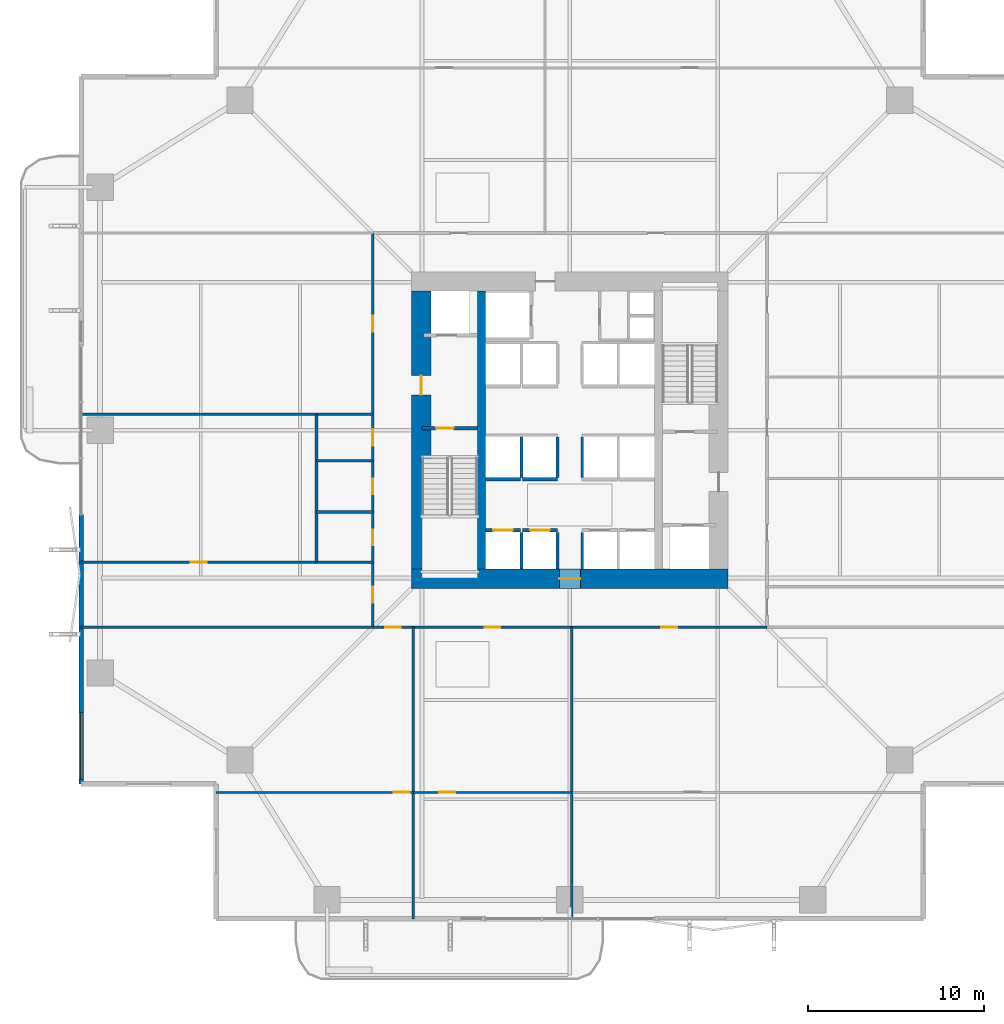
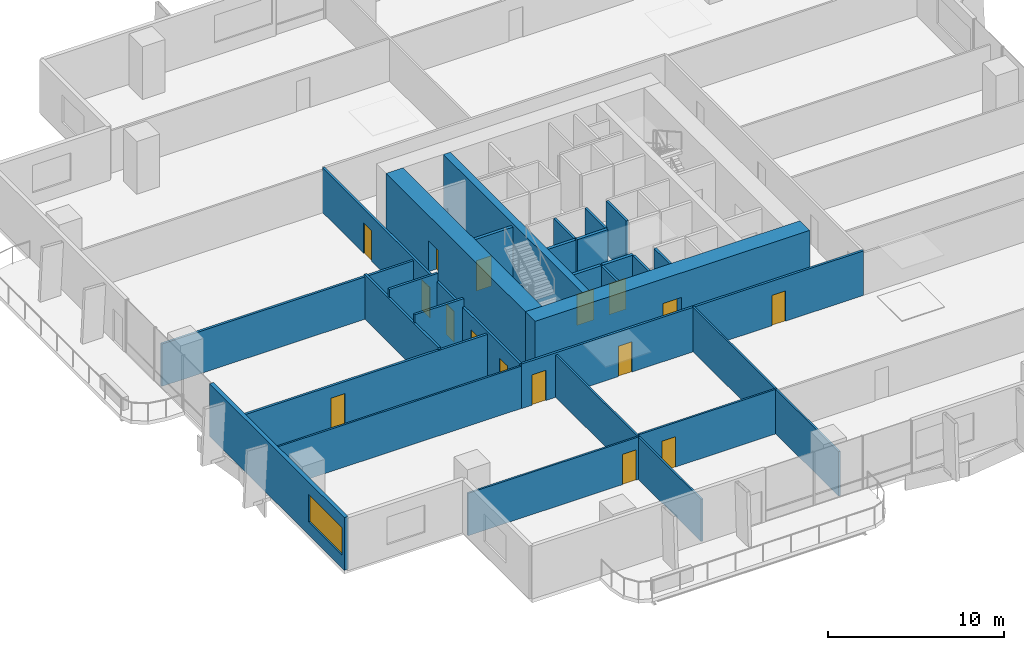
# One storey, part 17 of 23: 27 walls, 16 doors, 1 window, 17 openings.
"""IFC4 building model written with IfcOpenShell, lengths in metres."""

from ifc_helpers import new_model, si_unit, direction, frame, frame_2d, origin, place, context, subcontext, project, spatial, rectangle, extrude, material, layer, layer_set, type_object, element, fill, save


model = new_model("IFC4")

# Units and contexts
model_context = context("Model", 3, precision=1e-05, world=origin(), true_north=direction((0.0, 1.0)))
body_context = subcontext(model_context, "Body", "Model", "MODEL_VIEW")
ifc_project = project(units=[si_unit("LENGTHUNIT", "METRE"), si_unit("AREAUNIT", "SQUARE_METRE"), si_unit("VOLUMEUNIT", "CUBIC_METRE"), si_unit("PLANEANGLEUNIT", "RADIAN"), si_unit("MASSUNIT", "GRAM", prefix="KILO")], contexts=[model_context])

# Site, building, storey
site_placement = place(None, origin())
site = spatial("IfcSite", under=ifc_project, at=site_placement, CompositionType="ELEMENT")
building_placement = place(site_placement, origin())
building = spatial("IfcBuilding", under=site, at=building_placement, Name="Belovzor Exchange Tower", CompositionType="ELEMENT")
storey_placement = place(building_placement, frame((0.0, 0.0, 76.800048828125)))
storey = spatial("IfcBuildingStorey", under=building, at=storey_placement, Name="L18", CompositionType="ELEMENT", Elevation=76.800048828125)

# Wall, opening, door
ifc_material_1 = material(Name="Acoustic Plasterboard on Galvanised Studs", Category="gypsum")
ifc_layer_1 = layer(ifc_material_1, 0.1201171875)
ifc_layer_set_1 = layer_set([ifc_layer_1], Name="Acoustic Plasterboard on Galvanised Studs")
wall_type_1 = type_object("IfcWallType", Name="Acoustic Double-Stud Partition Wall 120", PredefinedType="PARTITIONING", material=ifc_layer_set_1)
wall_1_placement = place(storey_placement, frame((8.699951171875, 8.2119140625, 0.0), z_axis=(0.0, 0.0, 1.0), x_axis=(1.0, 0.0, 0.0)))
wall_1 = element("IfcWall", 1, at=wall_1_placement, inside=storey, type_object=wall_type_1, Name="W-P120 Partition Wall W-L18-SHDIV-0", PredefinedType="PARTITIONING", context=body_context, shape_type="SweptSolid", body=[
    extrude(rectangle(XDim=11.199951171875, YDim=0.1201171875, at=frame_2d((5.60009765625, 0.0))), origin(), (0.0, 0.0, 1.0), 2.93505859375),
])
opening_1_placement = place(wall_1_placement, frame((10.10009765625, 0.0, 0.0)))
opening_1 = element("IfcOpeningElement", 2, at=opening_1_placement, cuts=wall_1, Name="Opening D-INT-090", PredefinedType="OPENING", context=body_context, shape_type="SweptSolid", body=[
    extrude(rectangle(XDim=0.89990234375, YDim=2.10009765625, at=frame_2d((0.449951171875, 1.050048828125))), frame((0.0, 0.070068359375, 0.0), z_axis=(0.0, -1.0, 0.0), x_axis=(1.0, 0.0, 0.0)), (0.0, 0.0, 1.0), 0.14013671875),
])
ifc_material_2 = material(Name="Veneered Hardwood Acoustic Leaf", Category="wood")
door_type_1 = type_object("IfcDoorType", Name="Trading Suite Acoustic Single Door 900x2100", OperationType="NOTDEFINED", PredefinedType="DOOR", material=ifc_material_2)
door_1_placement = place(opening_1_placement, origin())
door_1 = element("IfcDoor", 3, at=door_1_placement, inside=storey, type_object=door_type_1, Name="D-INT-090 Trading Suite Acoustic Single Door 900x2100", OperationType="SINGLE_SWING_LEFT", OverallHeight=2.10009765625, OverallWidth=0.89990234375, PredefinedType="DOOR", context=body_context, shape_type="SweptSolid", body=[
    extrude(rectangle(XDim=0.89990234375, YDim=2.10009765625, at=frame_2d((0.449951171875, 1.050048828125))), frame((0.0, 0.02490234375, 0.0), z_axis=(0.0, -1.0, 0.0), x_axis=(1.0, 0.0, 0.0)), (0.0, 0.0, 1.0), 0.050048828125),
])
fill(opening_1, door_1)

# Wall
wall_2_placement = place(storey_placement, frame((19.89990234375, 1.030029296875, 0.0), z_axis=(0.0, 0.0, 1.0), x_axis=(0.0, 1.0, 0.0)))
element("IfcWall", 4, at=wall_2_placement, inside=storey, type_object=wall_type_1, Name="W-P120 Partition Wall W-L18-SDIV-1", PredefinedType="PARTITIONING", context=body_context, shape_type="SweptSolid", body=[
    extrude(rectangle(XDim=16.570068359375, YDim=0.1201171875, at=frame_2d((8.28515625, 0.0))), origin(), (0.0, 0.0, 1.0), 2.93505859375),
])

# Wall, opening, door
wall_3_placement = place(storey_placement, frame((19.89990234375, 8.2119140625, 0.0), z_axis=(0.0, 0.0, 1.0), x_axis=(1.0, 0.0, 0.0)))
wall_3 = element("IfcWall", 5, at=wall_3_placement, inside=storey, type_object=wall_type_1, Name="W-P120 Partition Wall W-L18-SHDIV-1", PredefinedType="PARTITIONING", context=body_context, shape_type="SweptSolid", body=[
    extrude(rectangle(XDim=9.004150390625, YDim=0.1201171875, at=frame_2d((4.501953125, 0.0))), origin(), (0.0, 0.0, 1.0), 3.0849609375),
])
opening_2_placement = place(wall_3_placement, frame((1.48388671875, 0.0, 0.0)))
opening_2 = element("IfcOpeningElement", 6, at=opening_2_placement, cuts=wall_3, Name="Opening D-INT-090", PredefinedType="OPENING", context=body_context, shape_type="SweptSolid", body=[
    extrude(rectangle(XDim=0.89990234375, YDim=2.10009765625, at=frame_2d((0.449951171875, 1.050048828125))), frame((0.0, 0.070068359375, 0.0), z_axis=(0.0, -1.0, 0.0), x_axis=(1.0, 0.0, 0.0)), (0.0, 0.0, 1.0), 0.14013671875),
])
door_2_placement = place(opening_2_placement, origin())
door_2 = element("IfcDoor", 7, at=door_2_placement, inside=storey, type_object=door_type_1, Name="D-INT-090 Trading Suite Acoustic Single Door 900x2100", OperationType="SINGLE_SWING_LEFT", OverallHeight=2.10009765625, OverallWidth=0.89990234375, PredefinedType="DOOR", context=body_context, shape_type="SweptSolid", body=[
    extrude(rectangle(XDim=0.89990234375, YDim=2.10009765625, at=frame_2d((0.449951171875, 1.050048828125))), frame((0.0, 0.02490234375, 0.0), z_axis=(0.0, -1.0, 0.0), x_axis=(1.0, 0.0, 0.0)), (0.0, 0.0, 1.0), 0.050048828125),
])
fill(opening_2, door_2)

# Walls
wall_4_placement = place(storey_placement, frame((28.904052734375, 1.030029296875, 0.0), z_axis=(0.0, 0.0, 1.0), x_axis=(0.0, 1.0, 0.0)))
element("IfcWall", 8, at=wall_4_placement, inside=storey, type_object=wall_type_1, Name="W-P120 Partition Wall W-L18-SDIV-2", PredefinedType="PARTITIONING", context=body_context, shape_type="SweptSolid", body=[
    extrude(rectangle(XDim=16.570068359375, YDim=0.1201171875, at=frame_2d((8.28515625, 0.0))), origin(), (0.0, 0.0, 1.0), 3.0849609375),
])
wall_5_placement = place(storey_placement, frame((1.030029296875, 17.60009765625, 0.0), z_axis=(0.0, 0.0, 1.0), x_axis=(1.0, 0.0, 0.0)))
element("IfcWall", 9, at=wall_5_placement, inside=storey, type_object=wall_type_1, Name="W-P120 Partition Wall W-L18-END-SW", PredefinedType="PARTITIONING", context=body_context, shape_type="SweptSolid", body=[
    extrude(rectangle(XDim=16.570068359375, YDim=0.1201171875, at=frame_2d((8.28515625, 0.0))), origin(), (0.0, 0.0, 1.0), 2.93505859375),
])
ifc_material_3 = material(Name="Fire-Rated Gypsum Block and Mineral Wool", Category="gypsum")
ifc_layer_2 = layer(ifc_material_3, 0.14990234375)
ifc_layer_set_2 = layer_set([ifc_layer_2], Name="Fire-Rated Gypsum Block and Mineral Wool")
wall_type_2 = type_object("IfcWallType", Name="Fire-Rated Gypsum Block Corridor Wall 150", PredefinedType="PARTITIONING", material=ifc_layer_set_2)
wall_6_placement = place(storey_placement, frame((14.39990234375, 21.300048828125, 0.0), z_axis=(0.0, 0.0, 1.0), x_axis=(0.0, 1.0, 0.0)))
element("IfcWall", 10, at=wall_6_placement, inside=storey, type_object=wall_type_2, Name="W-P150 Partition Wall W-L18-WCW", PredefinedType="PARTITIONING", context=body_context, shape_type="SweptSolid", body=[
    extrude(rectangle(XDim=8.39990234375, YDim=0.14990234375, at=frame_2d((4.199951171875, 0.0))), origin(), (0.0, 0.0, 1.0), 3.0849609375),
])

# Wall, opening, door
wall_7_placement = place(storey_placement, frame((1.030029296875, 21.300048828125, 0.0), z_axis=(0.0, 0.0, 1.0), x_axis=(1.0, 0.0, 0.0)))
wall_7 = element("IfcWall", 11, at=wall_7_placement, inside=storey, type_object=wall_type_2, Name="W-P150 Partition Wall W-L18-WCS", PredefinedType="PARTITIONING", context=body_context, shape_type="SweptSolid", body=[
    extrude(rectangle(XDim=16.570068359375, YDim=0.14990234375, at=frame_2d((8.28515625, 0.0))), origin(), (0.0, 0.0, 1.0), 2.93505859375),
])
opening_3_placement = place(wall_7_placement, frame((6.235107421875, 0.0, 0.0)))
opening_3 = element("IfcOpeningElement", 12, at=opening_3_placement, cuts=wall_7, Name="Opening D-INT-090", PredefinedType="OPENING", context=body_context, shape_type="SweptSolid", body=[
    extrude(rectangle(XDim=0.89990234375, YDim=2.10009765625, at=frame_2d((0.449951171875, 1.050048828125))), frame((0.0, 0.0849609375, 0.0), z_axis=(0.0, -1.0, 0.0), x_axis=(1.0, 0.0, 0.0)), (0.0, 0.0, 1.0), 0.169921875),
])
door_3_placement = place(opening_3_placement, origin())
door_3 = element("IfcDoor", 13, at=door_3_placement, inside=storey, type_object=door_type_1, Name="D-INT-090 Trading Suite Acoustic Single Door 900x2100", OperationType="SINGLE_SWING_LEFT", OverallHeight=2.10009765625, OverallWidth=0.89990234375, PredefinedType="DOOR", context=body_context, shape_type="SweptSolid", body=[
    extrude(rectangle(XDim=0.89990234375, YDim=2.10009765625, at=frame_2d((0.449951171875, 1.050048828125))), frame((0.0, 0.02490234375, 0.0), z_axis=(0.0, -1.0, 0.0), x_axis=(1.0, 0.0, 0.0)), (0.0, 0.0, 1.0), 0.050048828125),
])
fill(opening_3, door_3)

# Walls
wall_8_placement = place(storey_placement, frame((1.030029296875, 29.699951171875, 0.0), z_axis=(0.0, 0.0, 1.0), x_axis=(1.0, 0.0, 0.0)))
element("IfcWall", 14, at=wall_8_placement, inside=storey, type_object=wall_type_2, Name="W-P150 Partition Wall W-L18-WCN", PredefinedType="PARTITIONING", context=body_context, shape_type="SweptSolid", body=[
    extrude(rectangle(XDim=16.570068359375, YDim=0.14990234375, at=frame_2d((8.28515625, 0.0))), origin(), (0.0, 0.0, 1.0), 2.93505859375),
])
for number, where, z_axis, x_axis, name in (
    (15, (14.39990234375, 24.14990234375, 0.0), (0.0, 0.0, 1.0), (1.0, 0.0, 0.0), "W-P150 Partition Wall W-L18-WCD1"),
    (16, (14.39990234375, 27.050048828125, 0.0), (0.0, 0.0, 1.0), (1.0, 0.0, 0.0), "W-P150 Partition Wall W-L18-WCD2"),
):
    element("IfcWall", number, at=place(storey_placement, frame(where, z_axis=z_axis, x_axis=x_axis)), inside=storey, type_object=wall_type_2, Name=name, PredefinedType="PARTITIONING", context=body_context, shape_type="SweptSolid", body=[
        extrude(rectangle(XDim=3.2001953125, YDim=0.14990234375, at=frame_2d((1.60009765625, 0.0))), origin(), (0.0, 0.0, 1.0), 3.64990234375),
    ])

# Wall, openings, doors
wall_9_placement = place(storey_placement, frame((17.60009765625, 17.60009765625, 0.0), z_axis=(0.0, 0.0, 1.0), x_axis=(1.0, 0.0, 0.0)))
wall_9 = element("IfcWall", 17, at=wall_9_placement, inside=storey, type_object=wall_type_2, Name="W-P150 Partition Wall W-L18-CS", PredefinedType="PARTITIONING", context=body_context, shape_type="SweptSolid", body=[
    extrude(rectangle(XDim=22.39990234375, YDim=0.14990234375, at=frame_2d((11.199951171875, 0.0))), origin(), (0.0, 0.0, 1.0), 3.0849609375),
])
opening_4_placement = place(wall_9_placement, frame((0.699951171875, 0.0, 0.0)))
opening_4 = element("IfcOpeningElement", 18, at=opening_4_placement, cuts=wall_9, Name="Opening D-INT-090", PredefinedType="OPENING", context=body_context, shape_type="SweptSolid", body=[
    extrude(rectangle(XDim=0.89990234375, YDim=2.10009765625, at=frame_2d((0.449951171875, 1.050048828125))), frame((0.0, 0.0849609375, 0.0), z_axis=(0.0, -1.0, 0.0), x_axis=(1.0, 0.0, 0.0)), (0.0, 0.0, 1.0), 0.169921875),
])
opening_5_placement = place(wall_9_placement, frame((6.35205078125, 0.0, 0.0)))
opening_5 = element("IfcOpeningElement", 19, at=opening_5_placement, cuts=wall_9, Name="Opening D-INT-090", PredefinedType="OPENING", context=body_context, shape_type="SweptSolid", body=[
    extrude(rectangle(XDim=0.89990234375, YDim=2.10009765625, at=frame_2d((0.449951171875, 1.050048828125))), frame((0.0, 0.0849609375, 0.0), z_axis=(0.0, -1.0, 0.0), x_axis=(1.0, 0.0, 0.0)), (0.0, 0.0, 1.0), 0.169921875),
])
opening_6_placement = place(wall_9_placement, frame((16.402099609375, 0.0, 0.0)))
opening_6 = element("IfcOpeningElement", 20, at=opening_6_placement, cuts=wall_9, Name="Opening D-INT-090", PredefinedType="OPENING", context=body_context, shape_type="SweptSolid", body=[
    extrude(rectangle(XDim=0.89990234375, YDim=2.10009765625, at=frame_2d((0.449951171875, 1.050048828125))), frame((0.0, 0.0849609375, 0.0), z_axis=(0.0, -1.0, 0.0), x_axis=(1.0, 0.0, 0.0)), (0.0, 0.0, 1.0), 0.169921875),
])
door_4_placement = place(opening_4_placement, origin())
door_4 = element("IfcDoor", 21, at=door_4_placement, inside=storey, type_object=door_type_1, Name="D-INT-090 Trading Suite Acoustic Single Door 900x2100", OperationType="SINGLE_SWING_RIGHT", OverallHeight=2.10009765625, OverallWidth=0.89990234375, PredefinedType="DOOR", context=body_context, shape_type="SweptSolid", body=[
    extrude(rectangle(XDim=0.89990234375, YDim=2.10009765625, at=frame_2d((0.449951171875, 1.050048828125))), frame((0.0, 0.02490234375, 0.0), z_axis=(0.0, -1.0, 0.0), x_axis=(1.0, 0.0, 0.0)), (0.0, 0.0, 1.0), 0.050048828125),
])
fill(opening_4, door_4)
door_5_placement = place(opening_5_placement, origin())
door_5 = element("IfcDoor", 22, at=door_5_placement, inside=storey, type_object=door_type_1, Name="D-INT-090 Trading Suite Acoustic Single Door 900x2100", OperationType="SINGLE_SWING_LEFT", OverallHeight=2.10009765625, OverallWidth=0.89990234375, PredefinedType="DOOR", context=body_context, shape_type="SweptSolid", body=[
    extrude(rectangle(XDim=0.89990234375, YDim=2.10009765625, at=frame_2d((0.449951171875, 1.050048828125))), frame((0.0, 0.02490234375, 0.0), z_axis=(0.0, -1.0, 0.0), x_axis=(1.0, 0.0, 0.0)), (0.0, 0.0, 1.0), 0.050048828125),
])
fill(opening_5, door_5)
door_6_placement = place(opening_6_placement, origin())
door_6 = element("IfcDoor", 23, at=door_6_placement, inside=storey, type_object=door_type_1, Name="D-INT-090 Trading Suite Acoustic Single Door 900x2100", OperationType="SINGLE_SWING_RIGHT", OverallHeight=2.10009765625, OverallWidth=0.89990234375, PredefinedType="DOOR", context=body_context, shape_type="SweptSolid", body=[
    extrude(rectangle(XDim=0.89990234375, YDim=2.10009765625, at=frame_2d((0.449951171875, 1.050048828125))), frame((0.0, 0.02490234375, 0.0), z_axis=(0.0, -1.0, 0.0), x_axis=(1.0, 0.0, 0.0)), (0.0, 0.0, 1.0), 0.050048828125),
])
fill(opening_6, door_6)

wall_10_placement = place(storey_placement, frame((17.60009765625, 17.60009765625, 0.0), z_axis=(0.0, 0.0, 1.0), x_axis=(0.0, 1.0, 0.0)))
wall_10 = element("IfcWall", 24, at=wall_10_placement, inside=storey, type_object=wall_type_2, Name="W-P150 Partition Wall W-L18-CW", PredefinedType="PARTITIONING", context=body_context, shape_type="SweptSolid", body=[
    extrude(rectangle(XDim=22.39990234375, YDim=0.14990234375, at=frame_2d((11.199951171875, 0.0))), origin(), (0.0, 0.0, 1.0), 3.0849609375),
])
opening_7_placement = place(wall_10_placement, frame((1.39990234375, 0.0, 0.0)))
opening_7 = element("IfcOpeningElement", 25, at=opening_7_placement, cuts=wall_10, Name="Opening D-INT-090", PredefinedType="OPENING", context=body_context, shape_type="SweptSolid", body=[
    extrude(rectangle(XDim=0.89990234375, YDim=2.10009765625, at=frame_2d((0.449951171875, 1.050048828125))), frame((0.0, 0.0849609375, 0.0), z_axis=(0.0, -1.0, 0.0), x_axis=(1.0, 0.0, 0.0)), (0.0, 0.0, 1.0), 0.169921875),
])
opening_8_placement = place(wall_10_placement, frame((4.64990234375, 0.0, 0.0)))
opening_8 = element("IfcOpeningElement", 26, at=opening_8_placement, cuts=wall_10, Name="Opening D-FD60-090", PredefinedType="OPENING", context=body_context, shape_type="SweptSolid", body=[
    extrude(rectangle(XDim=0.89990234375, YDim=2.10009765625, at=frame_2d((0.449951171875, 1.050048828125))), frame((0.0, 0.0849609375, 0.0), z_axis=(0.0, -1.0, 0.0), x_axis=(1.0, 0.0, 0.0)), (0.0, 0.0, 1.0), 0.169921875),
])
opening_9_placement = place(wall_10_placement, frame((7.550048828125, 0.0, 0.0)))
opening_9 = element("IfcOpeningElement", 27, at=opening_9_placement, cuts=wall_10, Name="Opening D-FD60-090", PredefinedType="OPENING", context=body_context, shape_type="SweptSolid", body=[
    extrude(rectangle(XDim=0.89990234375, YDim=2.10009765625, at=frame_2d((0.449951171875, 1.050048828125))), frame((0.0, 0.0849609375, 0.0), z_axis=(0.0, -1.0, 0.0), x_axis=(1.0, 0.0, 0.0)), (0.0, 0.0, 1.0), 0.169921875),
])
opening_10_placement = place(wall_10_placement, frame((10.300048828125, 0.0, 0.0)))
opening_10 = element("IfcOpeningElement", 28, at=opening_10_placement, cuts=wall_10, Name="Opening D-FD60-095", PredefinedType="OPENING", context=body_context, shape_type="SweptSolid", body=[
    extrude(rectangle(XDim=0.949951171875, YDim=2.10009765625, at=frame_2d((0.47509765625, 1.050048828125))), frame((0.0, 0.0849609375, 0.0), z_axis=(0.0, -1.0, 0.0), x_axis=(1.0, 0.0, 0.0)), (0.0, 0.0, 1.0), 0.169921875),
])
opening_11_placement = place(wall_10_placement, frame((16.800048828125, 0.0, 0.0)))
opening_11 = element("IfcOpeningElement", 29, at=opening_11_placement, cuts=wall_10, Name="Opening D-INT-090", PredefinedType="OPENING", context=body_context, shape_type="SweptSolid", body=[
    extrude(rectangle(XDim=0.89990234375, YDim=2.10009765625, at=frame_2d((0.449951171875, 1.050048828125))), frame((0.0, 0.0849609375, 0.0), z_axis=(0.0, -1.0, 0.0), x_axis=(1.0, 0.0, 0.0)), (0.0, 0.0, 1.0), 0.169921875),
])
ifc_material_4 = material(Name="Moisture-Resistant Timber Fire Leaf", Category="wood")
door_type_2 = type_object("IfcDoorType", Name="Accessible Restroom Wide Fire Door 950x2100", OperationType="NOTDEFINED", PredefinedType="DOOR", material=ifc_material_4)
door_7_placement = place(opening_10_placement, origin())
door_7 = element("IfcDoor", 30, at=door_7_placement, inside=storey, type_object=door_type_2, Name="D-FD60-095 Accessible Restroom Wide Fire Door 950x2100", OperationType="SINGLE_SWING_LEFT", OverallHeight=2.10009765625, OverallWidth=0.949951171875, PredefinedType="DOOR", context=body_context, shape_type="SweptSolid", body=[
    extrude(rectangle(XDim=0.949951171875, YDim=2.10009765625, at=frame_2d((0.47509765625, 1.050048828125))), frame((0.0, 0.02490234375, 0.0), z_axis=(0.0, -1.0, 0.0), x_axis=(1.0, 0.0, 0.0)), (0.0, 0.0, 1.0), 0.050048828125),
])
fill(opening_10, door_7)
ifc_material_5 = material(Name="Acoustic Timber Fire Leaf", Category="wood")
door_type_3 = type_object("IfcDoorType", Name="Core Service & Restroom Fire Door 900x2100", OperationType="NOTDEFINED", PredefinedType="DOOR", material=ifc_material_5)
door_8_placement = place(opening_8_placement, origin())
door_8 = element("IfcDoor", 31, at=door_8_placement, inside=storey, type_object=door_type_3, Name="D-FD60-090 Core Service & Restroom Fire Door 900x2100", OperationType="SINGLE_SWING_LEFT", OverallHeight=2.10009765625, OverallWidth=0.89990234375, PredefinedType="DOOR", context=body_context, shape_type="SweptSolid", body=[
    extrude(rectangle(XDim=0.89990234375, YDim=2.10009765625, at=frame_2d((0.449951171875, 1.050048828125))), frame((0.0, 0.02490234375, 0.0), z_axis=(0.0, -1.0, 0.0), x_axis=(1.0, 0.0, 0.0)), (0.0, 0.0, 1.0), 0.050048828125),
])
fill(opening_8, door_8)
door_9_placement = place(opening_9_placement, origin())
door_9 = element("IfcDoor", 32, at=door_9_placement, inside=storey, type_object=door_type_3, Name="D-FD60-090 Core Service & Restroom Fire Door 900x2100", OperationType="SINGLE_SWING_RIGHT", OverallHeight=2.10009765625, OverallWidth=0.89990234375, PredefinedType="DOOR", context=body_context, shape_type="SweptSolid", body=[
    extrude(rectangle(XDim=0.89990234375, YDim=2.10009765625, at=frame_2d((0.449951171875, 1.050048828125))), frame((0.0, 0.02490234375, 0.0), z_axis=(0.0, -1.0, 0.0), x_axis=(1.0, 0.0, 0.0)), (0.0, 0.0, 1.0), 0.050048828125),
])
fill(opening_9, door_9)
door_10_placement = place(opening_7_placement, origin())
door_10 = element("IfcDoor", 33, at=door_10_placement, inside=storey, type_object=door_type_1, Name="D-INT-090 Trading Suite Acoustic Single Door 900x2100", OperationType="SINGLE_SWING_LEFT", OverallHeight=2.10009765625, OverallWidth=0.89990234375, PredefinedType="DOOR", context=body_context, shape_type="SweptSolid", body=[
    extrude(rectangle(XDim=0.89990234375, YDim=2.10009765625, at=frame_2d((0.449951171875, 1.050048828125))), frame((0.0, 0.02490234375, 0.0), z_axis=(0.0, -1.0, 0.0), x_axis=(1.0, 0.0, 0.0)), (0.0, 0.0, 1.0), 0.050048828125),
])
fill(opening_7, door_10)
door_11_placement = place(opening_11_placement, origin())
door_11 = element("IfcDoor", 34, at=door_11_placement, inside=storey, type_object=door_type_1, Name="D-INT-090 Trading Suite Acoustic Single Door 900x2100", OperationType="SINGLE_SWING_RIGHT", OverallHeight=2.10009765625, OverallWidth=0.89990234375, PredefinedType="DOOR", context=body_context, shape_type="SweptSolid", body=[
    extrude(rectangle(XDim=0.89990234375, YDim=2.10009765625, at=frame_2d((0.449951171875, 1.050048828125))), frame((0.0, 0.02490234375, 0.0), z_axis=(0.0, -1.0, 0.0), x_axis=(1.0, 0.0, 0.0)), (0.0, 0.0, 1.0), 0.050048828125),
])
fill(opening_11, door_11)

# Wall, opening, window
ifc_material_6 = material(Name="Precast concrete C40/50", Category="concrete")
ifc_layer_3 = layer(ifc_material_6, 0.260009765625)
ifc_layer_set_3 = layer_set([ifc_layer_3], Name="Precast concrete C40/50")
wall_type_3 = type_object("IfcWallType", Name="Precast Concrete Perimeter Loggia Frame Wall 260", PredefinedType="SOLIDWALL", material=ifc_layer_set_3)
wall_11_placement = place(storey_placement, frame((1.030029296875, 8.699951171875, 0.0), z_axis=(0.0, 0.0, 1.0), x_axis=(0.0, 1.0, 0.0)))
wall_11 = element("IfcWall", 35, at=wall_11_placement, inside=storey, type_object=wall_type_3, Name="W-EXT260 Precast Concrete Perimeter Loggia Frame Wall 260 L18", PredefinedType="SOLIDWALL", context=body_context, shape_type="SweptSolid", body=[
    extrude(rectangle(XDim=15.300048828125, YDim=0.260009765625, at=frame_2d((7.64990234375, 0.0))), origin(), (0.0, 0.0, 1.0), 3.64990234375),
])
opening_12_placement = place(wall_11_placement, frame((0.25, 0.0, 0.89990234375)))
opening_12 = element("IfcOpeningElement", 36, at=opening_12_placement, cuts=wall_11, Name="Opening WN-RIB380", PredefinedType="OPENING", context=body_context, shape_type="SweptSolid", body=[
    extrude(rectangle(XDim=3.800048828125, YDim=1.89990234375, at=frame_2d((1.89990234375, 0.949951171875))), frame((0.0, 0.139892578125, 0.0), z_axis=(0.0, -1.0, 0.0), x_axis=(1.0, 0.0, 0.0)), (0.0, 0.0, 1.0), 0.280029296875),
])
ifc_material_7 = material(Name="Thermally Broken Aluminium and Triple Glazing", Category="aluminium")
window_type = type_object("IfcWindowType", Name="Streamline Moderne Horizontal Ribbon Window 3800x1900", PartitioningType="SINGLE_PANEL", PredefinedType="WINDOW", material=ifc_material_7)
window_placement = place(opening_12_placement, origin())
window = element("IfcWindow", 37, at=window_placement, inside=storey, type_object=window_type, Name="WN-RIB380 Streamline Moderne Horizontal Ribbon Window 3800x1900", OverallHeight=1.89990234375, OverallWidth=3.800048828125, PartitioningType="SINGLE_PANEL", PredefinedType="WINDOW", context=body_context, shape_type="SweptSolid", body=[
    extrude(rectangle(XDim=3.800048828125, YDim=1.89990234375, at=frame_2d((1.89990234375, 0.949951171875))), frame((0.0, 0.030029296875, 0.0), z_axis=(0.0, -1.0, 0.0), x_axis=(1.0, 0.0, 0.0)), (0.0, 0.0, 1.0), 0.06005859375),
])
fill(opening_12, window)

# Walls
ifc_material_8 = material(Name="Concrete C50/60", Category="concrete")
ifc_layer_4 = layer(ifc_material_8, 0.449951171875)
ifc_layer_set_4 = layer_set([ifc_layer_4], Name="Concrete C50/60")
wall_type_4 = type_object("IfcWallType", Name="Reinforced Concrete Core Internal Web Wall 450", PredefinedType="SHEAR", material=ifc_layer_set_4)
wall_12_placement = place(storey_placement, frame((23.77490234375, 20.89990234375, 0.0), z_axis=(0.0, 0.0, 1.0), x_axis=(0.0, 1.0, 0.0)))
element("IfcWall", 38, at=wall_12_placement, inside=storey, type_object=wall_type_4, Name="CW-W045 Core Internal Web Wall L18 WL", PredefinedType="SHEAR", context=body_context, shape_type="SweptSolid", body=[
    extrude(rectangle(XDim=15.800048828125, YDim=0.449951171875, at=frame_2d((7.89990234375, 0.0))), origin(), (0.0, 0.0, 1.0), 3.89990234375),
])
ifc_material_9 = material(Name="Concrete C50/60", Category="concrete")
ifc_layer_5 = layer(ifc_material_9, 0.14990234375)
ifc_layer_set_5 = layer_set([ifc_layer_5], Name="Concrete C50/60")
wall_type_5 = type_object("IfcWallType", Name="Reinforced Concrete Core Riser Shear Wall 150", PredefinedType="SHEAR", material=ifc_layer_set_5)
for number, where, z_axis, x_axis, name in (
    (39, (26.050048828125, 20.919921875, 0.0), (0.0, 0.0, 1.0), (0.0, 1.0, 0.0), "W-C150S Core Shaft Wall W-SHD-L18-PLL-1"),
    (40, (28.10009765625, 20.919921875, 0.0), (0.0, 0.0, 1.0), (0.0, 1.0, 0.0), "W-C150S Core Shaft Wall W-SHD-L18-PLL-2"),
    (41, (29.5, 20.919921875, 0.0), (0.0, 0.0, 1.0), (0.0, 1.0, 0.0), "W-C150S Core Shaft Wall W-SHD-L18-PLL-3"),
):
    element("IfcWall", number, at=place(storey_placement, frame(where, z_axis=z_axis, x_axis=x_axis)), inside=storey, type_object=wall_type_5, Name=name, PredefinedType="SHEAR", context=body_context, shape_type="SweptSolid", body=[
        extrude(rectangle(XDim=2.06005859375, YDim=0.14990234375, at=frame_2d((1.030029296875, 0.0))), origin(), (0.0, 0.0, 1.0), 3.64990234375),
    ])
for number, where, z_axis, x_axis, name in (
    (42, (26.050048828125, 26.1201171875, 0.0), (0.0, 0.0, 1.0), (0.0, 1.0, 0.0), "W-C150S Core Shaft Wall W-SHD-L18-PLM-1"),
    (43, (28.10009765625, 26.1201171875, 0.0), (0.0, 0.0, 1.0), (0.0, 1.0, 0.0), "W-C150S Core Shaft Wall W-SHD-L18-PLM-2"),
    (44, (29.5, 26.1201171875, 0.0), (0.0, 0.0, 1.0), (0.0, 1.0, 0.0), "W-C150S Core Shaft Wall W-SHD-L18-PLM-3"),
):
    element("IfcWall", number, at=place(storey_placement, frame(where, z_axis=z_axis, x_axis=x_axis)), inside=storey, type_object=wall_type_5, Name=name, PredefinedType="SHEAR", context=body_context, shape_type="SweptSolid", body=[
        extrude(rectangle(XDim=2.27978515625, YDim=0.14990234375, at=frame_2d((1.139892578125, 0.0))), origin(), (0.0, 0.0, 1.0), 3.64990234375),
    ])

# Wall, opening, door
ifc_material_10 = material(Name="Concrete C50/60", Category="concrete")
ifc_layer_6 = layer(ifc_material_10, 0.199951171875)
ifc_layer_set_6 = layer_set([ifc_layer_6], Name="Concrete C50/60")
wall_type_6 = type_object("IfcWallType", Name="Reinforced Concrete Core Shaft Shear Wall 200", PredefinedType="SHEAR", material=ifc_layer_set_6)
wall_13_placement = place(storey_placement, frame((20.39990234375, 28.89990234375, 0.0), z_axis=(0.0, 0.0, 1.0), x_axis=(1.0, 0.0, 0.0)))
wall_13 = element("IfcWall", 45, at=wall_13_placement, inside=storey, type_object=wall_type_6, Name="W-C200S Core Shaft Wall W-CORE-L18-FFLW1", PredefinedType="SHEAR", context=body_context, shape_type="SweptSolid", body=[
    extrude(rectangle(XDim=3.150146484375, YDim=0.199951171875, at=frame_2d((1.5751953125, 0.0))), origin(), (0.0, 0.0, 1.0), 3.64990234375),
])
opening_13_placement = place(wall_13_placement, frame((0.800048828125, 0.0, 0.0)))
opening_13 = element("IfcOpeningElement", 46, at=opening_13_placement, cuts=wall_13, Name="Opening D-FD90-100", PredefinedType="OPENING", context=body_context, shape_type="SweptSolid", body=[
    extrude(rectangle(XDim=1.0, YDim=2.10009765625, at=frame_2d((0.5, 1.050048828125))), frame((0.0, 0.10986328125, 0.0), z_axis=(0.0, -1.0, 0.0), x_axis=(1.0, 0.0, 0.0)), (0.0, 0.0, 1.0), 0.219970703125),
])
ifc_material_11 = material(Name="Fire-Rated Galvanised Steel Leaf", Category="steel")
door_type_4 = type_object("IfcDoorType", Name="Protected Stairwell Single Fire Door 1000x2100", OperationType="NOTDEFINED", PredefinedType="DOOR", material=ifc_material_11)
door_12_placement = place(opening_13_placement, origin())
door_12 = element("IfcDoor", 47, at=door_12_placement, inside=storey, type_object=door_type_4, Name="D-FD90-100 Protected Stairwell Single Fire Door 1000x2100", OperationType="SINGLE_SWING_RIGHT", OverallHeight=2.10009765625, OverallWidth=1.0, PredefinedType="DOOR", context=body_context, shape_type="SweptSolid", body=[
    extrude(rectangle(XDim=1.0, YDim=2.10009765625, at=frame_2d((0.5, 1.050048828125))), frame((0.0, 0.02490234375, 0.0), z_axis=(0.0, -1.0, 0.0), x_axis=(1.0, 0.0, 0.0)), (0.0, 0.0, 1.0), 0.050048828125),
])
fill(opening_13, door_12)

wall_14_placement = place(storey_placement, frame((24.0, 23.10009765625, 0.0), z_axis=(0.0, 0.0, 1.0), x_axis=(1.0, 0.0, 0.0)))
wall_14 = element("IfcWall", 48, at=wall_14_placement, inside=storey, type_object=wall_type_6, Name="W-C200S Core Shaft Wall W-SH-L18-PL-L1", PredefinedType="SHEAR", context=body_context, shape_type="SweptSolid", body=[
    extrude(rectangle(XDim=2.0, YDim=0.199951171875, at=frame_2d((1.0, 0.0))), origin(), (0.0, 0.0, 1.0), 3.64990234375),
])
opening_14_placement = place(wall_14_placement, frame((0.449951171875, 0.0, 0.0)))
opening_14 = element("IfcOpeningElement", 49, at=opening_14_placement, cuts=wall_14, Name="Opening LD-110", PredefinedType="OPENING", context=body_context, shape_type="SweptSolid", body=[
    extrude(rectangle(XDim=1.10009765625, YDim=2.14990234375, at=frame_2d((0.550048828125, 1.074951171875))), frame((0.0, 0.10986328125, 0.0), z_axis=(0.0, -1.0, 0.0), x_axis=(1.0, 0.0, 0.0)), (0.0, 0.0, 1.0), 0.219970703125),
])
ifc_material_12 = material(Name="Stainless Steel Grade 304", Category="steel")
door_type_5 = type_object("IfcDoorType", Name="Automated Stainless Steel Lift Landing Door 1100x2150", OperationType="SLIDING_TO_RIGHT", PredefinedType="DOOR", material=ifc_material_12)
door_13_placement = place(opening_14_placement, origin())
door_13 = element("IfcDoor", 50, at=door_13_placement, inside=storey, type_object=door_type_5, Name="LD-110 Automated Stainless Steel Lift Landing Door 1100x2150", OperationType="SLIDING_TO_RIGHT", OverallHeight=2.14990234375, OverallWidth=1.10009765625, PredefinedType="DOOR", context=body_context, shape_type="SweptSolid", body=[
    extrude(rectangle(XDim=1.10009765625, YDim=2.14990234375, at=frame_2d((0.550048828125, 1.074951171875))), frame((0.0, 0.02490234375, 0.0), z_axis=(0.0, -1.0, 0.0), x_axis=(1.0, 0.0, 0.0)), (0.0, 0.0, 1.0), 0.050048828125),
])
fill(opening_14, door_13)

wall_15_placement = place(storey_placement, frame((26.10009765625, 23.10009765625, 0.0), z_axis=(0.0, 0.0, 1.0), x_axis=(1.0, 0.0, 0.0)))
wall_15 = element("IfcWall", 51, at=wall_15_placement, inside=storey, type_object=wall_type_6, Name="W-C200S Core Shaft Wall W-SH-L18-PL-L2", PredefinedType="SHEAR", context=body_context, shape_type="SweptSolid", body=[
    extrude(rectangle(XDim=2.0, YDim=0.199951171875, at=frame_2d((1.0, 0.0))), origin(), (0.0, 0.0, 1.0), 3.64990234375),
])
opening_15_placement = place(wall_15_placement, frame((0.449951171875, 0.0, 0.0)))
opening_15 = element("IfcOpeningElement", 52, at=opening_15_placement, cuts=wall_15, Name="Opening LD-110", PredefinedType="OPENING", context=body_context, shape_type="SweptSolid", body=[
    extrude(rectangle(XDim=1.10009765625, YDim=2.14990234375, at=frame_2d((0.550048828125, 1.074951171875))), frame((0.0, 0.10986328125, 0.0), z_axis=(0.0, -1.0, 0.0), x_axis=(1.0, 0.0, 0.0)), (0.0, 0.0, 1.0), 0.219970703125),
])
door_14_placement = place(opening_15_placement, origin())
door_14 = element("IfcDoor", 53, at=door_14_placement, inside=storey, type_object=door_type_5, Name="LD-110 Automated Stainless Steel Lift Landing Door 1100x2150", OperationType="SLIDING_TO_RIGHT", OverallHeight=2.14990234375, OverallWidth=1.10009765625, PredefinedType="DOOR", context=body_context, shape_type="SweptSolid", body=[
    extrude(rectangle(XDim=1.10009765625, YDim=2.14990234375, at=frame_2d((0.550048828125, 1.074951171875))), frame((0.0, 0.02490234375, 0.0), z_axis=(0.0, -1.0, 0.0), x_axis=(1.0, 0.0, 0.0)), (0.0, 0.0, 1.0), 0.050048828125),
])
fill(opening_15, door_14)

# Walls
for number, where, z_axis, x_axis, name in (
    (54, (24.0, 26.0, 0.0), (0.0, 0.0, 1.0), (1.0, 0.0, 0.0), "W-C200S Core Shaft Wall W-SH-L18-PL-M1"),
    (55, (26.10009765625, 26.0, 0.0), (0.0, 0.0, 1.0), (1.0, 0.0, 0.0), "W-C200S Core Shaft Wall W-SH-L18-PL-M2"),
):
    element("IfcWall", number, at=place(storey_placement, frame(where, z_axis=z_axis, x_axis=x_axis)), inside=storey, type_object=wall_type_6, Name=name, PredefinedType="SHEAR", context=body_context, shape_type="SweptSolid", body=[
        extrude(rectangle(XDim=2.0, YDim=0.199951171875, at=frame_2d((1.0, 0.0))), origin(), (0.0, 0.0, 1.0), 3.64990234375),
    ])

# Wall, opening, door
ifc_material_13 = material(Name="Concrete C60/75", Category="concrete")
ifc_layer_7 = layer(ifc_material_13, 1.10009765625)
ifc_layer_set_7 = layer_set([ifc_layer_7], Name="Concrete C60/75")
wall_type_7 = type_object("IfcWallType", Name="Reinforced Concrete Core Shear Wall 1100", PredefinedType="SHEAR", material=ifc_layer_set_7)
wall_16_placement = place(storey_placement, frame((19.800048828125, 20.35009765625, 0.0), z_axis=(0.0, 0.0, 1.0), x_axis=(1.0, 0.0, 0.0)))
wall_16 = element("IfcWall", 56, at=wall_16_placement, inside=storey, type_object=wall_type_7, Name="CW-S110 Core Shear Wall L18 S", PredefinedType="SHEAR", context=body_context, shape_type="SweptSolid", body=[
    extrude(rectangle(XDim=18.0, YDim=1.10009765625, at=frame_2d((9.0, 0.0))), origin(), (0.0, 0.0, 1.0), 3.89990234375),
])
opening_16_placement = place(wall_16_placement, frame((8.39990234375, 0.0, 0.0)))
opening_16 = element("IfcOpeningElement", 57, at=opening_16_placement, cuts=wall_16, Name="Opening D-FD90-120", PredefinedType="OPENING", context=body_context, shape_type="SweptSolid", body=[
    extrude(rectangle(XDim=1.199951171875, YDim=2.199951171875, at=frame_2d((0.60009765625, 1.10009765625))), frame((0.0, 0.56005859375, 0.0), z_axis=(0.0, -1.0, 0.0), x_axis=(1.0, 0.0, 0.0)), (0.0, 0.0, 1.0), 1.1201171875),
])
ifc_material_14 = material(Name="Fire-Rated Galvanised Steel Leaf", Category="steel")
door_type_6 = type_object("IfcDoorType", Name="Heavy Plant & Foyer Fire Door 1200x2200", OperationType="NOTDEFINED", PredefinedType="DOOR", material=ifc_material_14)
door_15_placement = place(opening_16_placement, origin())
door_15 = element("IfcDoor", 58, at=door_15_placement, inside=storey, type_object=door_type_6, Name="D-FD90-120 Heavy Plant & Foyer Fire Door 1200x2200", OperationType="SINGLE_SWING_LEFT", OverallHeight=2.199951171875, OverallWidth=1.199951171875, PredefinedType="DOOR", context=body_context, shape_type="SweptSolid", body=[
    extrude(rectangle(XDim=1.199951171875, YDim=2.199951171875, at=frame_2d((0.60009765625, 1.10009765625))), frame((0.0, 0.02490234375, 0.0), z_axis=(0.0, -1.0, 0.0), x_axis=(1.0, 0.0, 0.0)), (0.0, 0.0, 1.0), 0.050048828125),
])
fill(opening_16, door_15)

wall_17_placement = place(storey_placement, frame((20.35009765625, 20.89990234375, 0.0), z_axis=(0.0, 0.0, 1.0), x_axis=(0.0, 1.0, 0.0)))
wall_17 = element("IfcWall", 59, at=wall_17_placement, inside=storey, type_object=wall_type_7, Name="CW-S110 Core Shear Wall L18 W", PredefinedType="SHEAR", context=body_context, shape_type="SweptSolid", body=[
    extrude(rectangle(XDim=15.800048828125, YDim=1.10009765625, at=frame_2d((7.89990234375, 0.0))), origin(), (0.0, 0.0, 1.0), 3.89990234375),
])
opening_17_placement = place(wall_17_placement, frame((9.89990234375, 0.0, 0.0)))
opening_17 = element("IfcOpeningElement", 60, at=opening_17_placement, cuts=wall_17, Name="Opening D-FD90-110", PredefinedType="OPENING", context=body_context, shape_type="SweptSolid", body=[
    extrude(rectangle(XDim=1.10009765625, YDim=2.14990234375, at=frame_2d((0.550048828125, 1.074951171875))), frame((0.0, 0.56005859375, 0.0), z_axis=(0.0, -1.0, 0.0), x_axis=(1.0, 0.0, 0.0)), (0.0, 0.0, 1.0), 1.1201171875),
])
ifc_material_15 = material(Name="Fire-Rated Galvanised Steel Leaf", Category="steel")
door_type_7 = type_object("IfcDoorType", Name="Protected Escape Vestibule Fire Door 1100x2150", OperationType="NOTDEFINED", PredefinedType="DOOR", material=ifc_material_15)
door_16_placement = place(opening_17_placement, origin())
door_16 = element("IfcDoor", 61, at=door_16_placement, inside=storey, type_object=door_type_7, Name="D-FD90-110 Protected Escape Vestibule Fire Door 1100x2150", OperationType="SINGLE_SWING_LEFT", OverallHeight=2.14990234375, OverallWidth=1.10009765625, PredefinedType="DOOR", context=body_context, shape_type="SweptSolid", body=[
    extrude(rectangle(XDim=1.10009765625, YDim=2.14990234375, at=frame_2d((0.550048828125, 1.074951171875))), frame((0.0, 0.02490234375, 0.0), z_axis=(0.0, -1.0, 0.0), x_axis=(1.0, 0.0, 0.0)), (0.0, 0.0, 1.0), 0.050048828125),
])
fill(opening_17, door_16)

save(model, "model.ifc")
